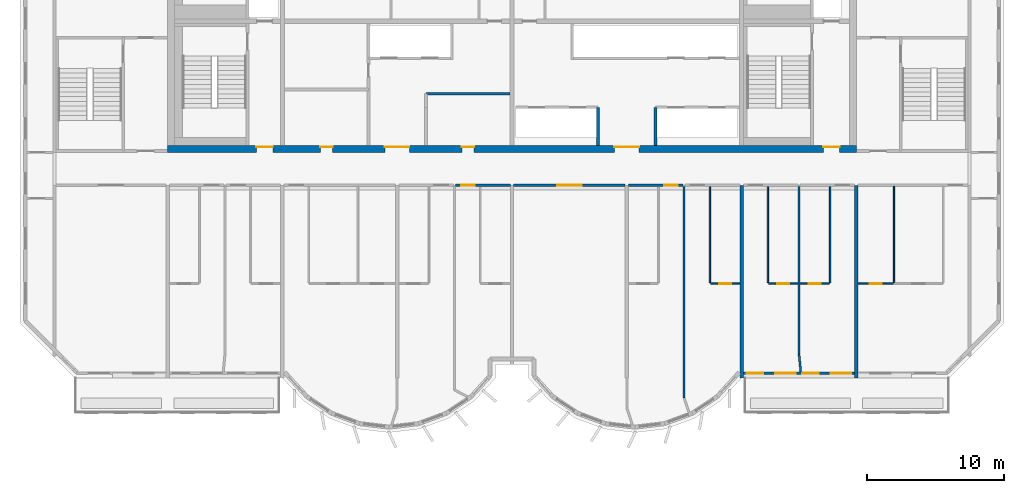
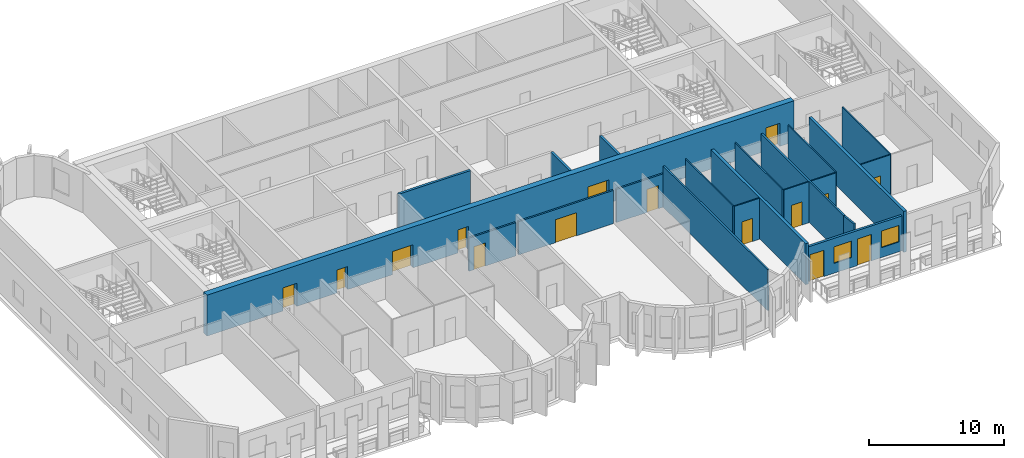
# One storey, part 5 of 12: 21 walls, 15 doors, 2 windows, 17 openings.
"""IFC4 building model written with IfcOpenShell, lengths in metres."""

from ifc_helpers import new_model, si_unit, direction, frame, frame_2d, origin, place, context, subcontext, project, spatial, rectangle, extrude, source, transform, mapped, material, layer, layer_set, type_object, element, fill, save


model = new_model("IFC4")

# Units and contexts
model_context = context("Model", 3, precision=1e-05, world=origin(), true_north=direction((0.0, 1.0)))
body_context = subcontext(model_context, "Body", "Model", "MODEL_VIEW")
ifc_project = project(units=[si_unit("LENGTHUNIT", "METRE"), si_unit("AREAUNIT", "SQUARE_METRE"), si_unit("VOLUMEUNIT", "CUBIC_METRE"), si_unit("PLANEANGLEUNIT", "RADIAN"), si_unit("MASSUNIT", "GRAM", prefix="KILO")], contexts=[model_context])

# Site, building, storey
site_placement = place(None, origin())
site = spatial("IfcSite", under=ifc_project, at=site_placement, CompositionType="ELEMENT")
building_placement = place(site_placement, origin())
building = spatial("IfcBuilding", under=site, at=building_placement, Name="Vanashikhar Sky Hotel", CompositionType="ELEMENT")
storey_placement = place(building_placement, frame((0.0, 0.0, 301.699951171875)))
storey = spatial("IfcBuildingStorey", under=building, at=storey_placement, Name="L72", CompositionType="ELEMENT", Elevation=301.699951171875)

# Wall, openings, doors
ifc_material_1 = material(Name="Concrete M50", Category="concrete")
ifc_layer_1 = layer(ifc_material_1, 0.5)
ifc_layer_set_1 = layer_set([ifc_layer_1], Name="RC core shell wall 500 Concrete M50")
wall_type_1 = type_object("IfcWallType", Name="RC core shell wall 500 Concrete M50", PredefinedType="SHEAR", material=ifc_layer_set_1)
shared_shape_1 = source(origin(), body_context, "Body", "SweptSolid", [
    extrude(rectangle(XDim=50.400146484375, YDim=0.5, at=frame_2d((25.2001953125, 0.0))), origin(), (0.0, 0.0, 1.0), 3.719970703125),
])
wall_1_placement = place(storey_placement, frame((25.199951171875, 22.25, 0.0), z_axis=(0.0, 0.0, 1.0), x_axis=(1.0, 0.0, 0.0)))
wall_1 = element("IfcWall", 1, at=wall_1_placement, inside=storey, type_object=wall_type_1, Name="KW-L72-KS", PredefinedType="SHEAR", context=body_context, shape_type="MappedRepresentation", body=[
    mapped(shared_shape_1, transform((0.0, 0.0, 0.0), scale=1.0)),
])
shared_shape_2 = source(origin(), body_context, "Body", "SweptSolid", [
    extrude(rectangle(XDim=1.800048828125, YDim=2.10009765625, at=frame_2d((0.89990234375, 1.050048828125))), frame((0.0, 0.260009765625, 0.0), z_axis=(0.0, -1.0, 0.0), x_axis=(1.0, 0.0, 0.0)), (0.0, 0.0, 1.0), 0.52001953125),
])
opening_1_placement = place(wall_1_placement, frame((15.89990234375, 0.0, 0.0)))
opening_1 = element("IfcOpeningElement", 2, at=opening_1_placement, cuts=wall_1, Name="Opening DC-3-A", PredefinedType="OPENING", context=body_context, shape_type="MappedRepresentation", body=[
    mapped(shared_shape_2, transform((0.0, 0.0, 0.0), scale=1.0)),
])
shared_shape_3 = source(origin(), body_context, "Body", "SweptSolid", [
    extrude(rectangle(XDim=0.89990234375, YDim=2.10009765625, at=frame_2d((0.449951171875, 1.050048828125))), frame((0.0, 0.260009765625, 0.0), z_axis=(0.0, -1.0, 0.0), x_axis=(1.0, 0.0, 0.0)), (0.0, 0.0, 1.0), 0.52001953125),
])
opening_2_placement = place(wall_1_placement, frame((11.175048828125, 0.0, 0.0)))
opening_2 = element("IfcOpeningElement", 3, at=opening_2_placement, cuts=wall_1, Name="Opening DC-4-A", PredefinedType="OPENING", context=body_context, shape_type="MappedRepresentation", body=[
    mapped(shared_shape_3, transform((0.0, 0.0, 0.0), scale=1.0)),
])
opening_3_placement = place(wall_1_placement, frame((21.52490234375, 0.0, 0.0)))
opening_3 = element("IfcOpeningElement", 4, at=opening_3_placement, cuts=wall_1, Name="Opening DC-4-A", PredefinedType="OPENING", context=body_context, shape_type="MappedRepresentation", body=[
    mapped(shared_shape_3, transform((0.0, 0.0, 0.0), scale=1.0)),
])
opening_4_placement = place(wall_1_placement, frame((32.699951171875, 0.0, 0.0)))
opening_4 = element("IfcOpeningElement", 5, at=opening_4_placement, cuts=wall_1, Name="Opening DC-3-A", PredefinedType="OPENING", context=body_context, shape_type="MappedRepresentation", body=[
    mapped(shared_shape_2, transform((0.0, 0.0, 0.0), scale=1.0)),
])
shared_shape_4 = source(origin(), body_context, "Body", "SweptSolid", [
    extrude(rectangle(XDim=1.199951171875, YDim=2.10009765625, at=frame_2d((0.60009765625, 1.050048828125))), frame((0.0, 0.260009765625, 0.0), z_axis=(0.0, -1.0, 0.0), x_axis=(1.0, 0.0, 0.0)), (0.0, 0.0, 1.0), 0.52001953125),
])
opening_5_placement = place(wall_1_placement, frame((6.5, 0.0, 0.0)))
opening_5 = element("IfcOpeningElement", 6, at=opening_5_placement, cuts=wall_1, Name="Opening DC-2", PredefinedType="OPENING", context=body_context, shape_type="MappedRepresentation", body=[
    mapped(shared_shape_4, transform((0.0, 0.0, 0.0), scale=1.0)),
])
opening_6_placement = place(wall_1_placement, frame((47.97509765625, 0.0, 0.0)))
opening_6 = element("IfcOpeningElement", 7, at=opening_6_placement, cuts=wall_1, Name="Opening DC-2", PredefinedType="OPENING", context=body_context, shape_type="MappedRepresentation", body=[
    mapped(shared_shape_4, transform((0.0, 0.0, 0.0), scale=1.0)),
])
ifc_material_2 = material(Name="Steel", Category="steel")
door_type_1 = type_object("IfcDoorType", Name="Firefighting lobby door 1200 FD120", OperationType="NOTDEFINED", PredefinedType="DOOR", material=ifc_material_2)
shared_shape_5 = source(origin(), body_context, "Body", "SweptSolid", [
    extrude(rectangle(XDim=1.199951171875, YDim=2.10009765625, at=frame_2d((0.60009765625, 1.050048828125))), frame((0.0, 0.1748046875, 0.0), z_axis=(0.0, -1.0, 0.0), x_axis=(1.0, 0.0, 0.0)), (0.0, 0.0, 1.0), 0.050048828125),
])
door_1_placement = place(opening_5_placement, origin())
door_1 = element("IfcDoor", 8, at=door_1_placement, inside=storey, type_object=door_type_1, Name="Firefighting lobby door 1200 FD120", OperationType="SINGLE_SWING_LEFT", OverallHeight=2.10009765625, OverallWidth=1.199951171875, PredefinedType="DOOR", context=body_context, shape_type="MappedRepresentation", body=[
    mapped(shared_shape_5, transform((0.0, 0.0, 0.0), scale=1.0)),
])
fill(opening_5, door_1)
door_2_placement = place(opening_6_placement, origin())
door_2 = element("IfcDoor", 9, at=door_2_placement, inside=storey, type_object=door_type_1, Name="Firefighting lobby door 1200 FD120", OperationType="SINGLE_SWING_RIGHT", OverallHeight=2.10009765625, OverallWidth=1.199951171875, PredefinedType="DOOR", context=body_context, shape_type="MappedRepresentation", body=[
    mapped(shared_shape_5, transform((0.0, 0.0, 0.0), scale=1.0)),
])
fill(opening_6, door_2)
door_type_2 = type_object("IfcDoorType", Name="Service door 900 FD60", OperationType="NOTDEFINED", PredefinedType="DOOR", material=ifc_material_2)
shared_shape_6 = source(origin(), body_context, "Body", "SweptSolid", [
    extrude(rectangle(XDim=0.89990234375, YDim=2.10009765625, at=frame_2d((0.449951171875, 1.050048828125))), frame((0.0, 0.1748046875, 0.0), z_axis=(0.0, -1.0, 0.0), x_axis=(1.0, 0.0, 0.0)), (0.0, 0.0, 1.0), 0.050048828125),
])
door_3_placement = place(opening_2_placement, origin())
door_3 = element("IfcDoor", 10, at=door_3_placement, inside=storey, type_object=door_type_2, Name="Service door 900 FD60", OperationType="SINGLE_SWING_LEFT", OverallHeight=2.10009765625, OverallWidth=0.89990234375, PredefinedType="DOOR", context=body_context, shape_type="MappedRepresentation", body=[
    mapped(shared_shape_6, transform((0.0, 0.0, 0.0), scale=1.0)),
])
fill(opening_2, door_3)
door_4_placement = place(opening_3_placement, origin())
door_4 = element("IfcDoor", 11, at=door_4_placement, inside=storey, type_object=door_type_2, Name="Service door 900 FD60", OperationType="SINGLE_SWING_LEFT", OverallHeight=2.10009765625, OverallWidth=0.89990234375, PredefinedType="DOOR", context=body_context, shape_type="MappedRepresentation", body=[
    mapped(shared_shape_6, transform((0.0, 0.0, 0.0), scale=1.0)),
])
fill(opening_3, door_4)
ifc_material_3 = material(Name="Glass", Category="glass")
door_type_3 = type_object("IfcDoorType", Name="Lift lobby entrance door 1800 FD30S", OperationType="NOTDEFINED", PredefinedType="DOOR", material=ifc_material_3)
shared_shape_7 = source(origin(), body_context, "Body", "SweptSolid", [
    extrude(rectangle(XDim=1.800048828125, YDim=2.10009765625, at=frame_2d((0.89990234375, 1.050048828125))), frame((0.0, 0.1748046875, 0.0), z_axis=(0.0, -1.0, 0.0), x_axis=(1.0, 0.0, 0.0)), (0.0, 0.0, 1.0), 0.050048828125),
])
door_5_placement = place(opening_1_placement, origin())
door_5 = element("IfcDoor", 12, at=door_5_placement, inside=storey, type_object=door_type_3, Name="Lift lobby entrance door 1800 FD30S", OperationType="DOUBLE_DOOR_SINGLE_SWING", OverallHeight=2.10009765625, OverallWidth=1.800048828125, PredefinedType="DOOR", context=body_context, shape_type="MappedRepresentation", body=[
    mapped(shared_shape_7, transform((0.0, 0.0, 0.0), scale=1.0)),
])
fill(opening_1, door_5)
door_6_placement = place(opening_4_placement, origin())
door_6 = element("IfcDoor", 13, at=door_6_placement, inside=storey, type_object=door_type_3, Name="Lift lobby entrance door 1800 FD30S", OperationType="DOUBLE_DOOR_SINGLE_SWING", OverallHeight=2.10009765625, OverallWidth=1.800048828125, PredefinedType="DOOR", context=body_context, shape_type="MappedRepresentation", body=[
    mapped(shared_shape_7, transform((0.0, 0.0, 0.0), scale=1.0)),
])
fill(opening_4, door_6)

# Walls
ifc_layer_2 = layer(ifc_material_1, 0.25)
ifc_layer_set_2 = layer_set([ifc_layer_2], Name="RC shear wall 250 Concrete M50")
wall_type_2 = type_object("IfcWallType", Name="RC shear wall 250 Concrete M50", PredefinedType="SHEAR", material=ifc_layer_set_2)
shared_shape_8 = source(origin(), body_context, "Body", "SweptSolid", [
    extrude(rectangle(XDim=14.10009765625, YDim=0.25, at=frame_2d((7.050048828125, 0.0))), origin(), (0.0, 0.0, 1.0), 3.719970703125),
])
for number, where, z_axis, x_axis, name in (
    (14, (67.199951171875, 5.5, 0.0), (0.0, 0.0, 1.0), (0.0, 1.0, 0.0), "CW-L72-XW09-1"),
    (15, (75.60009765625, 5.5, 0.0), (0.0, 0.0, 1.0), (0.0, 1.0, 0.0), "CW-L72-XW10-1"),
):
    element("IfcWall", number, at=place(storey_placement, frame(where, z_axis=z_axis, x_axis=x_axis)), inside=storey, type_object=wall_type_2, Name=name, PredefinedType="SHEAR", context=body_context, shape_type="MappedRepresentation", body=[
        mapped(shared_shape_8, transform((0.0, 0.0, 0.0), scale=1.0)),
    ])

# Wall, openings, windows, doors
ifc_layer_3 = layer(ifc_material_1, 0.199951171875)
ifc_layer_set_3 = layer_set([ifc_layer_3], Name="Front window wall 200")
wall_type_3 = type_object("IfcWallType", Name="Front window wall 200", PredefinedType="SOLIDWALL", material=ifc_layer_set_3)
shared_shape_9 = source(origin(), body_context, "Body", "SweptSolid", [
    extrude(rectangle(XDim=8.150146484375, YDim=0.199951171875, at=frame_2d((4.0751953125, 0.0))), origin(), (0.0, 0.0, 1.0), 3.170166015625),
])
wall_2_placement = place(storey_placement, frame((67.324951171875, 5.85009765625, 0.0), z_axis=(0.0, 0.0, 1.0), x_axis=(1.0, 0.0, 0.0)))
wall_2 = element("IfcWall", 16, at=wall_2_placement, inside=storey, type_object=wall_type_3, Name="Front window wall", PredefinedType="SOLIDWALL", context=body_context, shape_type="MappedRepresentation", body=[
    mapped(shared_shape_9, transform((0.0, 0.0, 0.0), scale=1.0)),
])
shared_shape_10 = source(origin(), body_context, "Body", "SweptSolid", [
    extrude(rectangle(XDim=1.199951171875, YDim=2.39990234375, at=frame_2d((0.60009765625, 1.199951171875))), frame((0.0, 0.10986328125, 0.0), z_axis=(0.0, -1.0, 0.0), x_axis=(1.0, 0.0, 0.0)), (0.0, 0.0, 1.0), 0.219970703125),
])
opening_7_placement = place(wall_2_placement, frame((0.25, 0.0, 0.0)))
opening_7 = element("IfcOpeningElement", 17, at=opening_7_placement, cuts=wall_2, Name="Opening BD-03", PredefinedType="OPENING", context=body_context, shape_type="MappedRepresentation", body=[
    mapped(shared_shape_10, transform((0.0, 0.0, 0.0), scale=1.0)),
])
shared_shape_11 = source(origin(), body_context, "Body", "SweptSolid", [
    extrude(rectangle(XDim=1.5, YDim=1.5, at=frame_2d((0.75, 0.75))), frame((0.0, 0.10986328125, 0.0), z_axis=(0.0, -1.0, 0.0), x_axis=(1.0, 0.0, 0.0)), (0.0, 0.0, 1.0), 0.219970703125),
])
opening_8_placement = place(wall_2_placement, frame((2.324951171875, 0.0, 0.89990234375)))
opening_8 = element("IfcOpeningElement", 18, at=opening_8_placement, cuts=wall_2, Name="Opening WN-1", PredefinedType="OPENING", context=body_context, shape_type="MappedRepresentation", body=[
    mapped(shared_shape_11, transform((0.0, 0.0, 0.0), scale=1.0)),
])
opening_9_placement = place(wall_2_placement, frame((4.324951171875, 0.0, 0.0)))
opening_9 = element("IfcOpeningElement", 19, at=opening_9_placement, cuts=wall_2, Name="Opening BD-04", PredefinedType="OPENING", context=body_context, shape_type="MappedRepresentation", body=[
    mapped(shared_shape_10, transform((0.0, 0.0, 0.0), scale=1.0)),
])
opening_10_placement = place(wall_2_placement, frame((6.39990234375, 0.0, 0.89990234375)))
opening_10 = element("IfcOpeningElement", 20, at=opening_10_placement, cuts=wall_2, Name="Opening WN-1", PredefinedType="OPENING", context=body_context, shape_type="MappedRepresentation", body=[
    mapped(shared_shape_11, transform((0.0, 0.0, 0.0), scale=1.0)),
])
window_type = type_object("IfcWindowType", Name="Window 1500 x 1500", PartitioningType="SINGLE_PANEL", PredefinedType="WINDOW", material=ifc_material_3)
shared_shape_12 = source(origin(), body_context, "Body", "SweptSolid", [
    extrude(rectangle(XDim=1.5, YDim=1.5, at=frame_2d((0.75, 0.75))), frame((0.0, 0.030029296875, 0.0), z_axis=(0.0, -1.0, 0.0), x_axis=(1.0, 0.0, 0.0)), (0.0, 0.0, 1.0), 0.06005859375),
])
window_1_placement = place(opening_8_placement, origin())
window_1 = element("IfcWindow", 21, at=window_1_placement, inside=storey, type_object=window_type, Name="Window WN-1", OverallHeight=1.5, OverallWidth=1.5, PartitioningType="SINGLE_PANEL", PredefinedType="WINDOW", context=body_context, shape_type="MappedRepresentation", body=[
    mapped(shared_shape_12, transform((0.0, 0.0, 0.0), scale=1.0)),
])
fill(opening_8, window_1)
window_2_placement = place(opening_10_placement, origin())
window_2 = element("IfcWindow", 22, at=window_2_placement, inside=storey, type_object=window_type, Name="Window WN-1", OverallHeight=1.5, OverallWidth=1.5, PartitioningType="SINGLE_PANEL", PredefinedType="WINDOW", context=body_context, shape_type="MappedRepresentation", body=[
    mapped(shared_shape_12, transform((0.0, 0.0, 0.0), scale=1.0)),
])
fill(opening_10, window_2)
ifc_material_4 = material(Name="Aluminium", Category="aluminium")
door_type_4 = type_object("IfcDoorType", Name="Balcony sliding door 1200 x 2400", OperationType="NOTDEFINED", PredefinedType="DOOR", material=ifc_material_4)
shared_shape_13 = source(origin(), body_context, "Body", "SweptSolid", [
    extrude(rectangle(XDim=1.199951171875, YDim=2.39990234375, at=frame_2d((0.60009765625, 1.199951171875))), frame((0.0, 0.02490234375, 0.0), z_axis=(0.0, -1.0, 0.0), x_axis=(1.0, 0.0, 0.0)), (0.0, 0.0, 1.0), 0.050048828125),
])
door_7_placement = place(opening_7_placement, origin())
door_7 = element("IfcDoor", 23, at=door_7_placement, inside=storey, type_object=door_type_4, Name="Balcony sliding door", OperationType="SLIDING_TO_LEFT", OverallHeight=2.39990234375, OverallWidth=1.199951171875, PredefinedType="DOOR", context=body_context, shape_type="MappedRepresentation", body=[
    mapped(shared_shape_13, transform((0.0, 0.0, 0.0), scale=1.0)),
])
fill(opening_7, door_7)
door_8_placement = place(opening_9_placement, origin())
door_8 = element("IfcDoor", 24, at=door_8_placement, inside=storey, type_object=door_type_4, Name="Balcony sliding door", OperationType="SLIDING_TO_RIGHT", OverallHeight=2.39990234375, OverallWidth=1.199951171875, PredefinedType="DOOR", context=body_context, shape_type="MappedRepresentation", body=[
    mapped(shared_shape_13, transform((0.0, 0.0, 0.0), scale=1.0)),
])
fill(opening_9, door_8)

# Walls
ifc_material_5 = material(Name="Concrete M40", Category="concrete")
ifc_layer_4 = layer(ifc_material_5, 0.199951171875)
ifc_layer_set_4 = layer_set([ifc_layer_4], Name="Shaft wall 200")
wall_type_4 = type_object("IfcWallType", Name="Shaft wall 200", PredefinedType="SOLIDWALL", material=ifc_layer_set_4)
shared_shape_14 = source(origin(), body_context, "Body", "SweptSolid", [
    extrude(rectangle(XDim=2.800048828125, YDim=0.199951171875, at=frame_2d((1.39990234375, 0.0))), origin(), (0.0, 0.0, 1.0), 3.719970703125),
])
for number, where, z_axis, x_axis, name in (
    (25, (60.89990234375, 22.5, 0.0), (0.0, 0.0, 1.0), (0.0, 1.0, 0.0), "Shaft wall 200"),
    (26, (56.699951171875, 22.5, 0.0), (0.0, 0.0, 1.0), (0.0, 1.0, 0.0), "Shaft wall 200"),
):
    element("IfcWall", number, at=place(storey_placement, frame(where, z_axis=z_axis, x_axis=x_axis)), inside=storey, type_object=wall_type_4, Name=name, PredefinedType="SOLIDWALL", context=body_context, shape_type="MappedRepresentation", body=[
        mapped(shared_shape_14, transform((0.0, 0.0, 0.0), scale=1.0)),
    ])
ifc_material_6 = material(Name="Gypsum board partition")
ifc_layer_5 = layer(ifc_material_6, 0.14990234375)
ifc_layer_set_5 = layer_set([ifc_layer_5], Name="Service partition 150")
wall_type_5 = type_object("IfcWallType", Name="Service partition 150", PredefinedType="PARTITIONING", material=ifc_layer_set_5)
shared_shape_15 = source(origin(), body_context, "Body", "SweptSolid", [
    extrude(rectangle(XDim=6.14990234375, YDim=0.199951171875, at=frame_2d((3.074951171875, 0.0))), origin(), (0.0, 0.0, 1.0), 3.719970703125),
])
wall_3_placement = place(storey_placement, frame((44.10009765625, 26.300048828125, 0.0), z_axis=(0.0, 0.0, 1.0), x_axis=(1.0, 0.0, 0.0)))
element("IfcWall", 27, at=wall_3_placement, inside=storey, type_object=wall_type_5, Name="Service partition 150", PredefinedType="PARTITIONING", context=body_context, shape_type="MappedRepresentation", body=[
    mapped(shared_shape_15, transform((0.0, 0.0, 0.0), scale=1.0)),
])

# Wall, opening, door
ifc_material_7 = material(Name="Gypsum plasterboard partition")
ifc_layer_6 = layer(ifc_material_7, 0.10009765625)
ifc_layer_set_6 = layer_set([ifc_layer_6], Name="Wet room partition 100")
wall_type_6 = type_object("IfcWallType", Name="Wet room partition 100", PredefinedType="PARTITIONING", material=ifc_layer_set_6)
shared_shape_16 = source(origin(), body_context, "Body", "SweptSolid", [
    extrude(rectangle(XDim=2.574951171875, YDim=0.10009765625, at=frame_2d((1.28759765625, 0.0))), origin(), (0.0, 0.0, 1.0), 3.719970703125),
])
wall_4_placement = place(storey_placement, frame((75.72509765625, 12.39990234375, 0.0), z_axis=(0.0, 0.0, 1.0), x_axis=(1.0, 0.0, 0.0)))
wall_4 = element("IfcWall", 28, at=wall_4_placement, inside=storey, type_object=wall_type_6, Name="W-L72-PW039", PredefinedType="PARTITIONING", context=body_context, shape_type="MappedRepresentation", body=[
    mapped(shared_shape_16, transform((0.0, 0.0, 0.0), scale=1.0)),
])
shared_shape_17 = source(origin(), body_context, "Body", "SweptSolid", [
    extrude(rectangle(XDim=0.89990234375, YDim=2.10009765625, at=frame_2d((0.449951171875, 1.050048828125))), frame((0.0, 0.06005859375, 0.0), z_axis=(0.0, -1.0, 0.0), x_axis=(1.0, 0.0, 0.0)), (0.0, 0.0, 1.0), 0.1201171875),
])
opening_11_placement = place(wall_4_placement, frame((0.837890625, 0.0, 0.0)))
opening_11 = element("IfcOpeningElement", 29, at=opening_11_placement, cuts=wall_4, Name="Opening D-02", PredefinedType="OPENING", context=body_context, shape_type="MappedRepresentation", body=[
    mapped(shared_shape_17, transform((0.0, 0.0, 0.0), scale=1.0)),
])
ifc_material_8 = material(Name="Timber door", Category="wood")
door_type_5 = type_object("IfcDoorType", Name="Internal door 900", OperationType="NOTDEFINED", PredefinedType="DOOR", material=ifc_material_8)
shared_shape_18 = source(origin(), body_context, "Body", "SweptSolid", [
    extrude(rectangle(XDim=0.89990234375, YDim=2.10009765625, at=frame_2d((0.449951171875, 1.050048828125))), frame((0.0, 0.02490234375, 0.0), z_axis=(0.0, -1.0, 0.0), x_axis=(1.0, 0.0, 0.0)), (0.0, 0.0, 1.0), 0.050048828125),
])
door_9_placement = place(opening_11_placement, origin())
door_9 = element("IfcDoor", 30, at=door_9_placement, inside=storey, type_object=door_type_5, Name="D-L72-023", OperationType="SINGLE_SWING_RIGHT", OverallHeight=2.10009765625, OverallWidth=0.89990234375, PredefinedType="DOOR", context=body_context, shape_type="MappedRepresentation", body=[
    mapped(shared_shape_18, transform((0.0, 0.0, 0.0), scale=1.0)),
])
fill(opening_11, door_9)

ifc_layer_7 = layer(ifc_material_7, 0.14990234375)
ifc_layer_set_7 = layer_set([ifc_layer_7], Name="Corridor and demising partition 150")
wall_type_7 = type_object("IfcWallType", Name="Corridor and demising partition 150", PredefinedType="PARTITIONING", material=ifc_layer_set_7)
shared_shape_19 = source(origin(), body_context, "Body", "SweptSolid", [
    extrude(rectangle(XDim=8.150146484375, YDim=0.14990234375, at=frame_2d((4.0751953125, 0.0))), origin(), (0.0, 0.0, 1.0), 3.02001953125),
])
wall_5_placement = place(storey_placement, frame((50.52490234375, 19.60009765625, 0.0), z_axis=(0.0, 0.0, 1.0), x_axis=(1.0, 0.0, 0.0)))
wall_5 = element("IfcWall", 31, at=wall_5_placement, inside=storey, type_object=wall_type_7, Name="W-L72-PW021", PredefinedType="PARTITIONING", context=body_context, shape_type="MappedRepresentation", body=[
    mapped(shared_shape_19, transform((0.0, 0.0, 0.0), scale=1.0)),
])
shared_shape_20 = source(origin(), body_context, "Body", "SweptSolid", [
    extrude(rectangle(XDim=1.800048828125, YDim=2.10009765625, at=frame_2d((0.89990234375, 1.050048828125))), frame((0.0, 0.0849609375, 0.0), z_axis=(0.0, -1.0, 0.0), x_axis=(1.0, 0.0, 0.0)), (0.0, 0.0, 1.0), 0.169921875),
])
opening_12_placement = place(wall_5_placement, frame((3.175048828125, 0.0, 0.0)))
opening_12 = element("IfcOpeningElement", 32, at=opening_12_placement, cuts=wall_5, Name="Opening D-03", PredefinedType="OPENING", context=body_context, shape_type="MappedRepresentation", body=[
    mapped(shared_shape_20, transform((0.0, 0.0, 0.0), scale=1.0)),
])
ifc_material_9 = material(Name="Timber fire door", Category="wood")
door_type_6 = type_object("IfcDoorType", Name="Double leaf door 1800 FD30S", OperationType="NOTDEFINED", PredefinedType="DOOR", material=ifc_material_9)
shared_shape_21 = source(origin(), body_context, "Body", "SweptSolid", [
    extrude(rectangle(XDim=1.800048828125, YDim=2.10009765625, at=frame_2d((0.89990234375, 1.050048828125))), frame((0.0, 0.02490234375, 0.0), z_axis=(0.0, -1.0, 0.0), x_axis=(1.0, 0.0, 0.0)), (0.0, 0.0, 1.0), 0.050048828125),
])
door_10_placement = place(opening_12_placement, origin())
door_10 = element("IfcDoor", 33, at=door_10_placement, inside=storey, type_object=door_type_6, Name="D-L72-013", OperationType="DOUBLE_DOOR_SINGLE_SWING", OverallHeight=2.10009765625, OverallWidth=1.800048828125, PredefinedType="DOOR", context=body_context, shape_type="MappedRepresentation", body=[
    mapped(shared_shape_21, transform((0.0, 0.0, 0.0), scale=1.0)),
])
fill(opening_12, door_10)

shared_shape_22 = source(origin(), body_context, "Body", "SweptSolid", [
    extrude(rectangle(XDim=4.0, YDim=0.14990234375, at=frame_2d((2.0, 0.0))), origin(), (0.0, 0.0, 1.0), 3.02001953125),
])
wall_6_placement = place(storey_placement, frame((46.27490234375, 19.60009765625, 0.0), z_axis=(0.0, 0.0, 1.0), x_axis=(1.0, 0.0, 0.0)))
wall_6 = element("IfcWall", 34, at=wall_6_placement, inside=storey, type_object=wall_type_7, Name="W-L72-PW019", PredefinedType="PARTITIONING", context=body_context, shape_type="MappedRepresentation", body=[
    mapped(shared_shape_22, transform((0.0, 0.0, 0.0), scale=1.0)),
])
shared_shape_23 = source(origin(), body_context, "Body", "SweptSolid", [
    extrude(rectangle(XDim=1.0, YDim=2.10009765625, at=frame_2d((0.5, 1.050048828125))), frame((0.0, 0.0849609375, 0.0), z_axis=(0.0, -1.0, 0.0), x_axis=(1.0, 0.0, 0.0)), (0.0, 0.0, 1.0), 0.169921875),
])
opening_13_placement = place(wall_6_placement, frame((0.39990234375, 0.0, 0.0)))
opening_13 = element("IfcOpeningElement", 35, at=opening_13_placement, cuts=wall_6, Name="Opening D-01", PredefinedType="OPENING", context=body_context, shape_type="MappedRepresentation", body=[
    mapped(shared_shape_23, transform((0.0, 0.0, 0.0), scale=1.0)),
])
door_type_7 = type_object("IfcDoorType", Name="Guest entry door 1000 FD30S", OperationType="NOTDEFINED", PredefinedType="DOOR", material=ifc_material_9)
shared_shape_24 = source(origin(), body_context, "Body", "SweptSolid", [
    extrude(rectangle(XDim=1.0, YDim=2.10009765625, at=frame_2d((0.5, 1.050048828125))), frame((0.0, 0.02490234375, 0.0), z_axis=(0.0, -1.0, 0.0), x_axis=(1.0, 0.0, 0.0)), (0.0, 0.0, 1.0), 0.050048828125),
])
door_11_placement = place(opening_13_placement, origin())
door_11 = element("IfcDoor", 36, at=door_11_placement, inside=storey, type_object=door_type_7, Name="D-L72-012", OperationType="SINGLE_SWING_LEFT", OverallHeight=2.10009765625, OverallWidth=1.0, PredefinedType="DOOR", context=body_context, shape_type="MappedRepresentation", body=[
    mapped(shared_shape_24, transform((0.0, 0.0, 0.0), scale=1.0)),
])
fill(opening_13, door_11)

wall_7_placement = place(storey_placement, frame((58.925048828125, 19.60009765625, 0.0), z_axis=(0.0, 0.0, 1.0), x_axis=(1.0, 0.0, 0.0)))
wall_7 = element("IfcWall", 37, at=wall_7_placement, inside=storey, type_object=wall_type_7, Name="W-L72-PW024", PredefinedType="PARTITIONING", context=body_context, shape_type="MappedRepresentation", body=[
    mapped(shared_shape_22, transform((0.0, 0.0, 0.0), scale=1.0)),
])
opening_14_placement = place(wall_7_placement, frame((2.60009765625, 0.0, 0.0)))
opening_14 = element("IfcOpeningElement", 38, at=opening_14_placement, cuts=wall_7, Name="Opening D-01", PredefinedType="OPENING", context=body_context, shape_type="MappedRepresentation", body=[
    mapped(shared_shape_23, transform((0.0, 0.0, 0.0), scale=1.0)),
])
door_12_placement = place(opening_14_placement, origin())
door_12 = element("IfcDoor", 39, at=door_12_placement, inside=storey, type_object=door_type_7, Name="D-L72-015", OperationType="SINGLE_SWING_RIGHT", OverallHeight=2.10009765625, OverallWidth=1.0, PredefinedType="DOOR", context=body_context, shape_type="MappedRepresentation", body=[
    mapped(shared_shape_24, transform((0.0, 0.0, 0.0), scale=1.0)),
])
fill(opening_14, door_12)

# Walls
shared_shape_25 = source(origin(), body_context, "Body", "SweptSolid", [
    extrude(rectangle(XDim=12.27490234375, YDim=0.14990234375, at=frame_2d((6.137451171875, 0.0))), origin(), (0.0, 0.0, 1.0), 3.719970703125),
])
wall_8_placement = place(storey_placement, frame((71.39990234375, 7.25, 0.0), z_axis=(0.0, 0.0, 1.0), x_axis=(0.0, 1.0, 0.0)))
element("IfcWall", 40, at=wall_8_placement, inside=storey, type_object=wall_type_7, Name="W-L72-PW035", PredefinedType="PARTITIONING", context=body_context, shape_type="MappedRepresentation", body=[
    mapped(shared_shape_25, transform((0.0, 0.0, 0.0), scale=1.0)),
])
shared_shape_26 = source(origin(), body_context, "Body", "SweptSolid", [
    extrude(rectangle(XDim=15.497802734375, YDim=0.14990234375, at=frame_2d((7.7490234375, 0.0))), origin(), (0.0, 0.0, 1.0), 3.719970703125),
])
wall_9_placement = place(storey_placement, frame((63.0, 4.027099609375, 0.0), z_axis=(0.0, 0.0, 1.0), x_axis=(0.0, 1.0, 0.0)))
element("IfcWall", 41, at=wall_9_placement, inside=storey, type_object=wall_type_7, Name="W-L72-PW028", PredefinedType="PARTITIONING", context=body_context, shape_type="MappedRepresentation", body=[
    mapped(shared_shape_26, transform((0.0, 0.0, 0.0), scale=1.0)),
])
shared_shape_27 = source(origin(), body_context, "Body", "SweptSolid", [
    extrude(rectangle(XDim=1.306640625, YDim=0.14990234375, at=frame_2d((0.6533203125, 0.0))), origin(), (0.0, 0.0, 1.0), 3.719970703125),
])
wall_10_placement = place(storey_placement, frame((71.530029296875, 5.949951171875, 0.0), z_axis=(0.0, 0.0, 1.0), x_axis=(-0.099596223396, 0.99502793543, 0.0)))
element("IfcWall", 42, at=wall_10_placement, inside=storey, type_object=wall_type_7, Name="W-L72-PW035B0", PredefinedType="PARTITIONING", context=body_context, shape_type="MappedRepresentation", body=[
    mapped(shared_shape_27, transform((0.0, 0.0, 0.0), scale=1.0)),
])
shared_shape_28 = source(origin(), body_context, "Body", "SweptSolid", [
    extrude(rectangle(XDim=7.0498046875, YDim=0.10009765625, at=frame_2d((3.52490234375, 0.0))), origin(), (0.0, 0.0, 1.0), 3.719970703125),
])
for number, where, z_axis, x_axis, name in (
    (43, (64.875, 12.47509765625, 0.0), (0.0, 0.0, 1.0), (0.0, 1.0, 0.0), "W-L72-PW025"),
    (44, (69.125, 12.47509765625, 0.0), (0.0, 0.0, 1.0), (0.0, 1.0, 0.0), "W-L72-PW029"),
    (45, (73.675048828125, 12.47509765625, 0.0), (0.0, 0.0, 1.0), (0.0, 1.0, 0.0), "W-L72-PW032"),
    (46, (78.35009765625, 12.47509765625, 0.0), (0.0, 0.0, 1.0), (0.0, 1.0, 0.0), "W-L72-PW037"),
):
    element("IfcWall", number, at=place(storey_placement, frame(where, z_axis=z_axis, x_axis=x_axis)), inside=storey, type_object=wall_type_6, Name=name, PredefinedType="PARTITIONING", context=body_context, shape_type="MappedRepresentation", body=[
        mapped(shared_shape_28, transform((0.0, 0.0, 0.0), scale=1.0)),
    ])

# Wall, opening, door
shared_shape_29 = source(origin(), body_context, "Body", "SweptSolid", [
    extrude(rectangle(XDim=2.14990234375, YDim=0.10009765625, at=frame_2d((1.074951171875, 0.0))), origin(), (0.0, 0.0, 1.0), 3.719970703125),
])
wall_11_placement = place(storey_placement, frame((64.925048828125, 12.39990234375, 0.0), z_axis=(0.0, 0.0, 1.0), x_axis=(1.0, 0.0, 0.0)))
wall_11 = element("IfcWall", 47, at=wall_11_placement, inside=storey, type_object=wall_type_6, Name="W-L72-PW026", PredefinedType="PARTITIONING", context=body_context, shape_type="MappedRepresentation", body=[
    mapped(shared_shape_29, transform((0.0, 0.0, 0.0), scale=1.0)),
])
opening_15_placement = place(wall_11_placement, frame((0.625, 0.0, 0.0)))
opening_15 = element("IfcOpeningElement", 48, at=opening_15_placement, cuts=wall_11, Name="Opening D-02", PredefinedType="OPENING", context=body_context, shape_type="MappedRepresentation", body=[
    mapped(shared_shape_17, transform((0.0, 0.0, 0.0), scale=1.0)),
])
door_13_placement = place(opening_15_placement, origin())
door_13 = element("IfcDoor", 49, at=door_13_placement, inside=storey, type_object=door_type_5, Name="D-L72-016", OperationType="SINGLE_SWING_LEFT", OverallHeight=2.10009765625, OverallWidth=0.89990234375, PredefinedType="DOOR", context=body_context, shape_type="MappedRepresentation", body=[
    mapped(shared_shape_18, transform((0.0, 0.0, 0.0), scale=1.0)),
])
fill(opening_15, door_13)

wall_12_placement = place(storey_placement, frame((69.175048828125, 12.39990234375, 0.0), z_axis=(0.0, 0.0, 1.0), x_axis=(1.0, 0.0, 0.0)))
wall_12 = element("IfcWall", 50, at=wall_12_placement, inside=storey, type_object=wall_type_6, Name="W-L72-PW030", PredefinedType="PARTITIONING", context=body_context, shape_type="MappedRepresentation", body=[
    mapped(shared_shape_29, transform((0.0, 0.0, 0.0), scale=1.0)),
])
opening_16_placement = place(wall_12_placement, frame((0.625, 0.0, 0.0)))
opening_16 = element("IfcOpeningElement", 51, at=opening_16_placement, cuts=wall_12, Name="Opening D-02", PredefinedType="OPENING", context=body_context, shape_type="MappedRepresentation", body=[
    mapped(shared_shape_17, transform((0.0, 0.0, 0.0), scale=1.0)),
])
door_14_placement = place(opening_16_placement, origin())
door_14 = element("IfcDoor", 52, at=door_14_placement, inside=storey, type_object=door_type_5, Name="D-L72-018", OperationType="SINGLE_SWING_LEFT", OverallHeight=2.10009765625, OverallWidth=0.89990234375, PredefinedType="DOOR", context=body_context, shape_type="MappedRepresentation", body=[
    mapped(shared_shape_18, transform((0.0, 0.0, 0.0), scale=1.0)),
])
fill(opening_16, door_14)

wall_13_placement = place(storey_placement, frame((71.47509765625, 12.39990234375, 0.0), z_axis=(0.0, 0.0, 1.0), x_axis=(1.0, 0.0, 0.0)))
wall_13 = element("IfcWall", 53, at=wall_13_placement, inside=storey, type_object=wall_type_6, Name="W-L72-PW033", PredefinedType="PARTITIONING", context=body_context, shape_type="MappedRepresentation", body=[
    mapped(shared_shape_29, transform((0.0, 0.0, 0.0), scale=1.0)),
])
opening_17_placement = place(wall_13_placement, frame((0.625, 0.0, 0.0)))
opening_17 = element("IfcOpeningElement", 54, at=opening_17_placement, cuts=wall_13, Name="Opening D-02", PredefinedType="OPENING", context=body_context, shape_type="MappedRepresentation", body=[
    mapped(shared_shape_17, transform((0.0, 0.0, 0.0), scale=1.0)),
])
door_15_placement = place(opening_17_placement, origin())
door_15 = element("IfcDoor", 55, at=door_15_placement, inside=storey, type_object=door_type_5, Name="D-L72-020", OperationType="SINGLE_SWING_RIGHT", OverallHeight=2.10009765625, OverallWidth=0.89990234375, PredefinedType="DOOR", context=body_context, shape_type="MappedRepresentation", body=[
    mapped(shared_shape_18, transform((0.0, 0.0, 0.0), scale=1.0)),
])
fill(opening_17, door_15)

save(model, "model.ifc")
